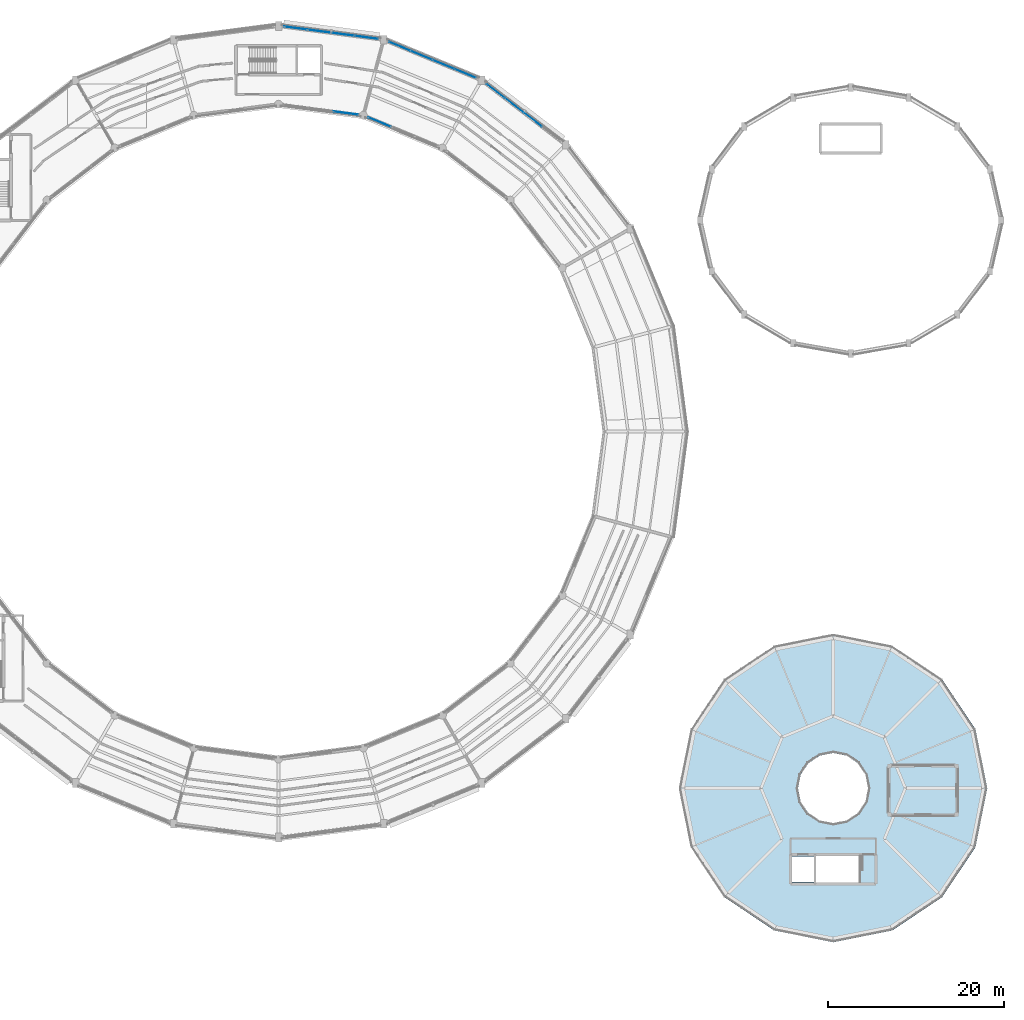
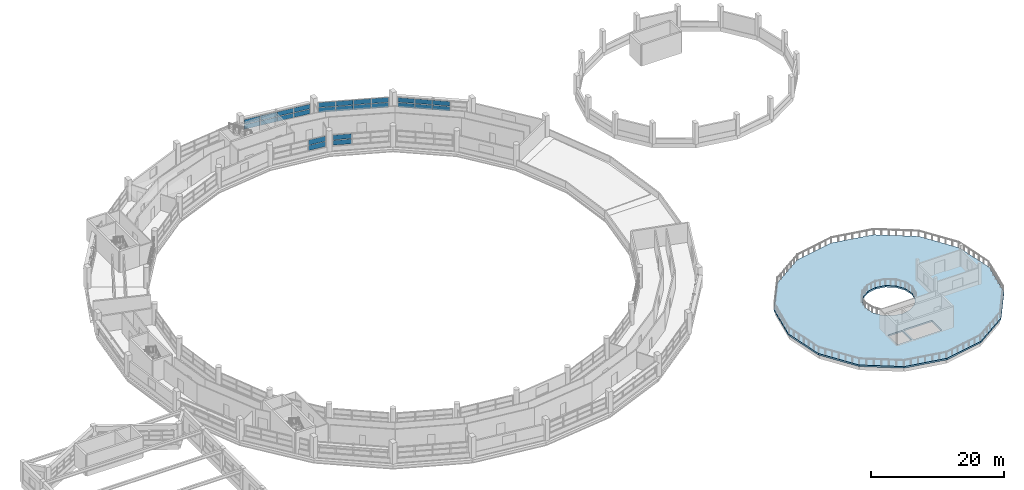
# One storey, part 88 of 108: 26 plates, 1 slab, 5 elements without a shape of their own.
"""IFC4 building model written with IfcOpenShell, lengths in metres."""

from ifc_helpers import new_model, si_unit, direction, frame, origin, origin_2d, place, context, subcontext, project, spatial, polyline, rectangle, outline, extrude, material, layer, layer_set, type_object, element, aggregate, save


model = new_model("IFC4")

# Units and contexts
model_context = context("Model", 3, precision=1e-05, world=origin(), true_north=direction((0.0, 1.0)))
body_context = subcontext(model_context, "Body", "Model", "MODEL_VIEW")
ifc_project = project(units=[si_unit("LENGTHUNIT", "METRE"), si_unit("AREAUNIT", "SQUARE_METRE"), si_unit("VOLUMEUNIT", "CUBIC_METRE"), si_unit("PLANEANGLEUNIT", "RADIAN"), si_unit("MASSUNIT", "GRAM", prefix="KILO")], contexts=[model_context])

# Site, building, storey
site_placement = place(None, origin())
site = spatial("IfcSite", under=ifc_project, at=site_placement, CompositionType="ELEMENT")
building_placement = place(site_placement, origin())
building = spatial("IfcBuilding", under=site, at=building_placement, Name="Vespera Passage Community Centre", CompositionType="ELEMENT")
storey_placement = place(building_placement, frame((0.0, 0.0, 12.60009765625)))
storey = spatial("IfcBuildingStorey", under=building, at=storey_placement, Name="L03", CompositionType="ELEMENT", Elevation=12.60009765625)

# Curtain wall, plates
ifc_material_1 = material(Name="Anodized aluminium 6063-T6", Category="aluminium")
ifc_layer_1 = layer(ifc_material_1, 0.159912109375)
ifc_layer_set_1 = layer_set([ifc_layer_1], Name="Anodized aluminium 6063-T6")
curtain_wall_type_1 = type_object("IfcCurtainWallType", Name="CW-37E", PredefinedType="NOTDEFINED", material=ifc_layer_set_1)
curtain_wall_1_placement = place(storey_placement, origin())
curtain_wall_1 = element("IfcCurtainWall", 1, at=curtain_wall_1_placement, inside=storey, type_object=curtain_wall_type_1, Name="V4 L03 Outer Ribbon Curtain Wall 3", PredefinedType="NOTDEFINED")
ifc_material_2 = material(Name="Low-E insulated vision glass", Category="glass")
ifc_layer_2 = layer(ifc_material_2, 0.02001953125)
ifc_layer_set_2 = layer_set([ifc_layer_2], Name="Low-E insulated vision glass")
plate_type_1 = type_object("IfcPlateType", Name="PL-CWP-20E", PredefinedType="CURTAIN_PANEL", material=ifc_layer_set_2)
plate_1_placement = place(storey_placement, frame((102.66552734375, 104.18408203125, 0.919921875), z_axis=(0.0, 0.0, 1.0), x_axis=(0.793345363065, -0.608771824991, 0.0)))
plate_1 = element("IfcPlate", 2, at=plate_1_placement, type_object=plate_type_1, Name="CW-37E panel 1.1", PredefinedType="CURTAIN_PANEL", context=body_context, shape_type="SweptSolid", body=[
    extrude(rectangle(XDim=2.5673828125, YDim=0.02001953125, at=origin_2d()), origin(), (0.0, 0.0, 1.0), 0.832763671875),
])
plate_2_placement = place(storey_placement, frame((102.66552734375, 104.18408203125, 1.8525390625), z_axis=(0.0, 0.0, 1.0), x_axis=(0.793345363065, -0.608771824991, 0.0)))
plate_2 = element("IfcPlate", 3, at=plate_2_placement, type_object=plate_type_1, Name="CW-37E panel 1.2", PredefinedType="CURTAIN_PANEL", context=body_context, shape_type="SweptSolid", body=[
    extrude(rectangle(XDim=2.5673828125, YDim=0.02001953125, at=origin_2d()), origin(), (0.0, 0.0, 1.0), 0.832763671875),
])
plate_3_placement = place(storey_placement, frame((104.766845703125, 102.57177734375, 0.919921875), z_axis=(0.0, 0.0, 1.0), x_axis=(0.793345363065, -0.608771824991, 0.0)))
plate_3 = element("IfcPlate", 4, at=plate_3_placement, type_object=plate_type_1, Name="CW-37E panel 2.1", PredefinedType="CURTAIN_PANEL", context=body_context, shape_type="SweptSolid", body=[
    extrude(rectangle(XDim=2.599853515625, YDim=0.02001953125, at=origin_2d()), origin(), (0.0, 0.0, 1.0), 0.832763671875),
])
plate_4_placement = place(storey_placement, frame((104.766845703125, 102.57177734375, 1.8525390625), z_axis=(0.0, 0.0, 1.0), x_axis=(0.793345363065, -0.608771824991, 0.0)))
plate_4 = element("IfcPlate", 5, at=plate_4_placement, type_object=plate_type_1, Name="CW-37E panel 2.2", PredefinedType="CURTAIN_PANEL", context=body_context, shape_type="SweptSolid", body=[
    extrude(rectangle(XDim=2.599853515625, YDim=0.02001953125, at=origin_2d()), origin(), (0.0, 0.0, 1.0), 0.832763671875),
])
plate_5_placement = place(storey_placement, frame((106.880859375, 100.949462890625, 0.919921875), z_axis=(0.0, 0.0, 1.0), x_axis=(0.793345363065, -0.608771824991, 0.0)))
plate_5 = element("IfcPlate", 6, at=plate_5_placement, type_object=plate_type_1, Name="CW-37E panel 3.1", PredefinedType="CURTAIN_PANEL", context=body_context, shape_type="SweptSolid", body=[
    extrude(rectangle(XDim=2.599853515625, YDim=0.02001953125, at=origin_2d()), origin(), (0.0, 0.0, 1.0), 0.832763671875),
])
plate_6_placement = place(storey_placement, frame((106.880859375, 100.949462890625, 1.8525390625), z_axis=(0.0, 0.0, 1.0), x_axis=(0.793345363065, -0.608771824991, 0.0)))
plate_6 = element("IfcPlate", 7, at=plate_6_placement, type_object=plate_type_1, Name="CW-37E panel 3.2", PredefinedType="CURTAIN_PANEL", context=body_context, shape_type="SweptSolid", body=[
    extrude(rectangle(XDim=2.599853515625, YDim=0.02001953125, at=origin_2d()), origin(), (0.0, 0.0, 1.0), 0.832763671875),
])
aggregate(curtain_wall_1, [plate_1, plate_2, plate_3, plate_4, plate_5, plate_6])

ifc_material_3 = material(Name="Anodized aluminium 6063-T6", Category="aluminium")
ifc_layer_3 = layer(ifc_material_3, 0.159912109375)
ifc_layer_set_3 = layer_set([ifc_layer_3], Name="Anodized aluminium 6063-T6")
curtain_wall_type_2 = type_object("IfcCurtainWallType", Name="CW-39E", PredefinedType="NOTDEFINED", material=ifc_layer_set_3)
curtain_wall_2_placement = place(storey_placement, origin())
curtain_wall_2 = element("IfcCurtainWall", 8, at=curtain_wall_2_placement, inside=storey, type_object=curtain_wall_type_2, Name="V4 L03 Outer Ribbon Curtain Wall 4", PredefinedType="NOTDEFINED")
ifc_material_4 = material(Name="Low-E insulated vision glass", Category="glass")
ifc_layer_4 = layer(ifc_material_4, 0.028076171875)
ifc_layer_set_4 = layer_set([ifc_layer_4], Name="Low-E insulated vision glass")
plate_type_2 = type_object("IfcPlateType", Name="PL-CWP-28E", PredefinedType="CURTAIN_PANEL", material=ifc_layer_set_4)
plate_7_placement = place(storey_placement, frame((91.76904296875, 109.26806640625, 0.8798828125), z_axis=(0.0, 0.0, 1.0), x_axis=(0.923879738007, -0.382682936255, 0.0)))
plate_7 = element("IfcPlate", 9, at=plate_7_placement, type_object=plate_type_2, Name="CW-39E panel 1.1", PredefinedType="CURTAIN_PANEL", context=body_context, shape_type="SweptSolid", body=[
    extrude(rectangle(XDim=2.585693359375, YDim=0.028076171875, at=origin_2d()), origin(), (0.0, 0.0, 1.0), 0.892822265625),
])
plate_8_placement = place(storey_placement, frame((91.76904296875, 109.26806640625, 1.83251953125), z_axis=(0.0, 0.0, 1.0), x_axis=(0.923879738007, -0.382682936255, 0.0)))
plate_8 = element("IfcPlate", 10, at=plate_8_placement, type_object=plate_type_2, Name="CW-39E panel 1.2", PredefinedType="CURTAIN_PANEL", context=body_context, shape_type="SweptSolid", body=[
    extrude(rectangle(XDim=2.585693359375, YDim=0.028076171875, at=origin_2d()), origin(), (0.0, 0.0, 1.0), 0.892822265625),
])
plate_9_placement = place(storey_placement, frame((94.244384765625, 108.24267578125, 0.8798828125), z_axis=(0.0, 0.0, 1.0), x_axis=(0.923879738007, -0.382682936255, 0.0)))
plate_9 = element("IfcPlate", 11, at=plate_9_placement, type_object=plate_type_2, Name="CW-39E panel 2.1", PredefinedType="CURTAIN_PANEL", context=body_context, shape_type="SweptSolid", body=[
    extrude(rectangle(XDim=2.623291015625, YDim=0.028076171875, at=origin_2d()), origin(), (0.0, 0.0, 1.0), 0.892822265625),
])
plate_10_placement = place(storey_placement, frame((94.244384765625, 108.24267578125, 1.83251953125), z_axis=(0.0, 0.0, 1.0), x_axis=(0.923879738007, -0.382682936255, 0.0)))
plate_10 = element("IfcPlate", 12, at=plate_10_placement, type_object=plate_type_2, Name="CW-39E panel 2.2", PredefinedType="CURTAIN_PANEL", context=body_context, shape_type="SweptSolid", body=[
    extrude(rectangle(XDim=2.623291015625, YDim=0.028076171875, at=origin_2d()), origin(), (0.0, 0.0, 1.0), 0.892822265625),
])
plate_11_placement = place(storey_placement, frame((96.7373046875, 107.210205078125, 0.8798828125), z_axis=(0.0, 0.0, 1.0), x_axis=(0.923879738007, -0.382682936255, 0.0)))
plate_11 = element("IfcPlate", 13, at=plate_11_placement, type_object=plate_type_2, Name="CW-39E panel 3.1", PredefinedType="CURTAIN_PANEL", context=body_context, shape_type="SweptSolid", body=[
    extrude(rectangle(XDim=2.623291015625, YDim=0.028076171875, at=origin_2d()), origin(), (0.0, 0.0, 1.0), 0.892822265625),
])
plate_12_placement = place(storey_placement, frame((96.7373046875, 107.210205078125, 1.83251953125), z_axis=(0.0, 0.0, 1.0), x_axis=(0.923879738007, -0.382682936255, 0.0)))
plate_12 = element("IfcPlate", 14, at=plate_12_placement, type_object=plate_type_2, Name="CW-39E panel 3.2", PredefinedType="CURTAIN_PANEL", context=body_context, shape_type="SweptSolid", body=[
    extrude(rectangle(XDim=2.623291015625, YDim=0.028076171875, at=origin_2d()), origin(), (0.0, 0.0, 1.0), 0.892822265625),
])
plate_13_placement = place(storey_placement, frame((99.212646484375, 106.184814453125, 0.8798828125), z_axis=(0.0, 0.0, 1.0), x_axis=(0.923879738007, -0.382682936255, 0.0)))
plate_13 = element("IfcPlate", 15, at=plate_13_placement, type_object=plate_type_2, Name="CW-39E panel 4.1", PredefinedType="CURTAIN_PANEL", context=body_context, shape_type="SweptSolid", body=[
    extrude(rectangle(XDim=2.585693359375, YDim=0.028076171875, at=origin_2d()), origin(), (0.0, 0.0, 1.0), 0.892822265625),
])
plate_14_placement = place(storey_placement, frame((99.212646484375, 106.184814453125, 1.83251953125), z_axis=(0.0, 0.0, 1.0), x_axis=(0.923879738007, -0.382682936255, 0.0)))
plate_14 = element("IfcPlate", 16, at=plate_14_placement, type_object=plate_type_2, Name="CW-39E panel 4.2", PredefinedType="CURTAIN_PANEL", context=body_context, shape_type="SweptSolid", body=[
    extrude(rectangle(XDim=2.585693359375, YDim=0.028076171875, at=origin_2d()), origin(), (0.0, 0.0, 1.0), 0.892822265625),
])
aggregate(curtain_wall_2, [plate_7, plate_8, plate_9, plate_10, plate_11, plate_12, plate_13, plate_14])

ifc_material_5 = material(Name="Anodized aluminium 6063-T6", Category="aluminium")
ifc_layer_5 = layer(ifc_material_5, 0.159912109375)
ifc_layer_set_5 = layer_set([ifc_layer_5], Name="Anodized aluminium 6063-T6")
curtain_wall_type_3 = type_object("IfcCurtainWallType", Name="CW-40E", PredefinedType="NOTDEFINED", material=ifc_layer_set_5)
curtain_wall_3_placement = place(storey_placement, origin())
curtain_wall_3 = element("IfcCurtainWall", 17, at=curtain_wall_3_placement, inside=storey, type_object=curtain_wall_type_3, Name="V4 L03 Inner Court Curtain Wall 4", PredefinedType="NOTDEFINED")
plate_15_placement = place(storey_placement, frame((89.47314453125, 100.668212890625, 0.919921875), z_axis=(0.0, 0.0, 1.0), x_axis=(-0.923876620096, 0.382690463482, 0.0)))
plate_15 = element("IfcPlate", 18, at=plate_15_placement, type_object=plate_type_2, Name="CW-40E panel 3.1", PredefinedType="CURTAIN_PANEL", context=body_context, shape_type="SweptSolid", body=[
    extrude(rectangle(XDim=2.7646484375, YDim=0.028076171875, at=origin_2d()), origin(), (0.0, 0.0, 1.0), 0.874755859375),
])
plate_16_placement = place(storey_placement, frame((89.47314453125, 100.668212890625, 1.89453125), z_axis=(0.0, 0.0, 1.0), x_axis=(-0.923876620096, 0.382690463482, 0.0)))
plate_16 = element("IfcPlate", 19, at=plate_16_placement, type_object=plate_type_2, Name="CW-40E panel 3.2", PredefinedType="CURTAIN_PANEL", context=body_context, shape_type="SweptSolid", body=[
    extrude(rectangle(XDim=2.7646484375, YDim=0.028076171875, at=origin_2d()), origin(), (0.0, 0.0, 1.0), 0.874755859375),
])
aggregate(curtain_wall_3, [plate_15, plate_16])

ifc_material_6 = material(Name="Anodized aluminium 6063-T6", Category="aluminium")
ifc_layer_6 = layer(ifc_material_6, 0.159912109375)
ifc_layer_set_6 = layer_set([ifc_layer_6], Name="Anodized aluminium 6063-T6")
curtain_wall_type_4 = type_object("IfcCurtainWallType", Name="CW-41E", PredefinedType="NOTDEFINED", material=ifc_layer_set_6)
curtain_wall_4_placement = place(storey_placement, origin())
curtain_wall_4 = element("IfcCurtainWall", 20, at=curtain_wall_4_placement, inside=storey, type_object=curtain_wall_type_4, Name="V4 L03 Outer Ribbon Curtain Wall 5", PredefinedType="NOTDEFINED")
ifc_material_7 = material(Name="Acoustic triple-glazed vision glass", Category="glass")
ifc_layer_7 = layer(ifc_material_7, 0.035888671875)
ifc_layer_set_7 = layer_set([ifc_layer_7], Name="Acoustic triple-glazed vision glass")
plate_type_3 = type_object("IfcPlateType", Name="PL-CWP-36E", PredefinedType="CURTAIN_PANEL", material=ifc_layer_set_7)
plate_17_placement = place(storey_placement, frame((79.951171875, 111.34326171875, 0.919921875), z_axis=(0.0, 0.0, 1.0), x_axis=(0.991444252276, -0.130530818696, 0.0)))
plate_17 = element("IfcPlate", 21, at=plate_17_placement, type_object=plate_type_3, Name="CW-41E panel 1.1", PredefinedType="CURTAIN_PANEL", context=body_context, shape_type="SweptSolid", body=[
    extrude(rectangle(XDim=2.599609375, YDim=0.035888671875, at=origin_2d()), origin(), (0.0, 0.0, 1.0), 0.832763671875),
])
plate_18_placement = place(storey_placement, frame((79.951171875, 111.34326171875, 1.8525390625), z_axis=(0.0, 0.0, 1.0), x_axis=(0.991444252276, -0.130530818696, 0.0)))
plate_18 = element("IfcPlate", 22, at=plate_18_placement, type_object=plate_type_3, Name="CW-41E panel 1.2", PredefinedType="CURTAIN_PANEL", context=body_context, shape_type="SweptSolid", body=[
    extrude(rectangle(XDim=2.599609375, YDim=0.035888671875, at=origin_2d()), origin(), (0.0, 0.0, 1.0), 0.832763671875),
])
plate_19_placement = place(storey_placement, frame((82.621337890625, 110.99169921875, 0.919921875), z_axis=(0.0, 0.0, 1.0), x_axis=(0.991444252276, -0.130530818696, 0.0)))
plate_19 = element("IfcPlate", 23, at=plate_19_placement, type_object=plate_type_3, Name="CW-41E panel 2.1", PredefinedType="CURTAIN_PANEL", context=body_context, shape_type="SweptSolid", body=[
    extrude(rectangle(XDim=2.636962890625, YDim=0.035888671875, at=origin_2d()), origin(), (0.0, 0.0, 1.0), 0.832763671875),
])
plate_20_placement = place(storey_placement, frame((82.621337890625, 110.99169921875, 1.8525390625), z_axis=(0.0, 0.0, 1.0), x_axis=(0.991444252276, -0.130530818696, 0.0)))
plate_20 = element("IfcPlate", 24, at=plate_20_placement, type_object=plate_type_3, Name="CW-41E panel 2.2", PredefinedType="CURTAIN_PANEL", context=body_context, shape_type="SweptSolid", body=[
    extrude(rectangle(XDim=2.636962890625, YDim=0.035888671875, at=origin_2d()), origin(), (0.0, 0.0, 1.0), 0.832763671875),
])
plate_21_placement = place(storey_placement, frame((85.310302734375, 110.6376953125, 0.919921875), z_axis=(0.0, 0.0, 1.0), x_axis=(0.991444252276, -0.130530818696, 0.0)))
plate_21 = element("IfcPlate", 25, at=plate_21_placement, type_object=plate_type_3, Name="CW-41E panel 3.1", PredefinedType="CURTAIN_PANEL", context=body_context, shape_type="SweptSolid", body=[
    extrude(rectangle(XDim=2.636962890625, YDim=0.035888671875, at=origin_2d()), origin(), (0.0, 0.0, 1.0), 0.832763671875),
])
plate_22_placement = place(storey_placement, frame((85.310302734375, 110.6376953125, 1.8525390625), z_axis=(0.0, 0.0, 1.0), x_axis=(0.991444252276, -0.130530818696, 0.0)))
plate_22 = element("IfcPlate", 26, at=plate_22_placement, type_object=plate_type_3, Name="CW-41E panel 3.2", PredefinedType="CURTAIN_PANEL", context=body_context, shape_type="SweptSolid", body=[
    extrude(rectangle(XDim=2.636962890625, YDim=0.035888671875, at=origin_2d()), origin(), (0.0, 0.0, 1.0), 0.832763671875),
])
plate_23_placement = place(storey_placement, frame((87.98046875, 110.2861328125, 0.919921875), z_axis=(0.0, 0.0, 1.0), x_axis=(0.991444252276, -0.130530818696, 0.0)))
plate_23 = element("IfcPlate", 27, at=plate_23_placement, type_object=plate_type_3, Name="CW-41E panel 4.1", PredefinedType="CURTAIN_PANEL", context=body_context, shape_type="SweptSolid", body=[
    extrude(rectangle(XDim=2.599609375, YDim=0.035888671875, at=origin_2d()), origin(), (0.0, 0.0, 1.0), 0.832763671875),
])
plate_24_placement = place(storey_placement, frame((87.98046875, 110.2861328125, 1.8525390625), z_axis=(0.0, 0.0, 1.0), x_axis=(0.991444252276, -0.130530818696, 0.0)))
plate_24 = element("IfcPlate", 28, at=plate_24_placement, type_object=plate_type_3, Name="CW-41E panel 4.2", PredefinedType="CURTAIN_PANEL", context=body_context, shape_type="SweptSolid", body=[
    extrude(rectangle(XDim=2.599609375, YDim=0.035888671875, at=origin_2d()), origin(), (0.0, 0.0, 1.0), 0.832763671875),
])
aggregate(curtain_wall_4, [plate_17, plate_18, plate_19, plate_20, plate_21, plate_22, plate_23, plate_24])

ifc_material_8 = material(Name="Anodized aluminium 6063-T6", Category="aluminium")
ifc_layer_8 = layer(ifc_material_8, 0.159912109375)
ifc_layer_set_8 = layer_set([ifc_layer_8], Name="Anodized aluminium 6063-T6")
curtain_wall_type_5 = type_object("IfcCurtainWallType", Name="CW-42E", PredefinedType="NOTDEFINED", material=ifc_layer_set_8)
curtain_wall_5_placement = place(storey_placement, origin())
curtain_wall_5 = element("IfcCurtainWall", 29, at=curtain_wall_5_placement, inside=storey, type_object=curtain_wall_type_5, Name="V4 L03 Inner Court Curtain Wall 5", PredefinedType="NOTDEFINED")
plate_25_placement = place(storey_placement, frame((85.665283203125, 101.69091796875, 0.8798828125), z_axis=(0.0, 0.0, 1.0), x_axis=(-0.991445387728, 0.1305221941, 0.0)))
plate_25 = element("IfcPlate", 30, at=plate_25_placement, type_object=plate_type_3, Name="CW-42E panel 1.1", PredefinedType="CURTAIN_PANEL", context=body_context, shape_type="SweptSolid", body=[
    extrude(rectangle(XDim=2.79443359375, YDim=0.035888671875, at=origin_2d()), origin(), (0.0, 0.0, 1.0), 0.934814453125),
])
plate_26_placement = place(storey_placement, frame((85.665283203125, 101.69091796875, 1.87451171875), z_axis=(0.0, 0.0, 1.0), x_axis=(-0.991445387728, 0.1305221941, 0.0)))
plate_26 = element("IfcPlate", 31, at=plate_26_placement, type_object=plate_type_3, Name="CW-42E panel 1.2", PredefinedType="CURTAIN_PANEL", context=body_context, shape_type="SweptSolid", body=[
    extrude(rectangle(XDim=2.79443359375, YDim=0.035888671875, at=origin_2d()), origin(), (0.0, 0.0, 1.0), 0.934814453125),
])
aggregate(curtain_wall_5, [plate_25, plate_26])

# Slab
ifc_material_9 = material(Name="Concrete f'c 35 MPa", Category="concrete")
ifc_layer_9 = layer(ifc_material_9, 0.300048828125)
ifc_layer_set_9 = layer_set([ifc_layer_9], Name="Concrete f'c 35 MPa")
slab_type = type_object("IfcSlabType", Name="SL-GARDEN-300E", PredefinedType="FLOOR", material=ifc_layer_set_9)
slab_placement = place(storey_placement, frame((0.0, 0.0, -0.300048828125)))
element("IfcSlab", 32, at=slab_placement, inside=storey, type_object=slab_type, Name="V3 L03 Accessible Planted Roof Garden Slab", PredefinedType="FLOOR", context=body_context, shape_type="SweptSolid", body=[
    extrude(outline(polyline([(147.697021484375, 8.83203125), (141.0, 7.5), (134.302978515625, 8.83203125), (128.62548828125, 12.62548828125), (124.83203125, 18.302978515625), (123.5, 25.0), (124.83203125, 31.697021484375), (128.62548828125, 37.37451171875), (134.302978515625, 41.16796875), (141.0, 42.5), (147.697021484375, 41.16796875), (153.37451171875, 37.37451171875), (157.16796875, 31.697021484375), (158.5, 25.0), (157.16796875, 18.302978515625), (153.37451171875, 12.62548828125), (147.697021484375, 8.83203125)]), holes=[polyline([(144.014892578125, 14.300048828125), (144.014892578125, 17.300048828125), (139.044921875, 17.300048828125), (139.044921875, 14.300048828125), (144.014892578125, 14.300048828125)]), polyline([(136.304931640625, 14.35009765625), (138.804931640625, 14.35009765625), (138.804931640625, 17.25), (136.304931640625, 17.25), (136.304931640625, 14.35009765625)]), polyline([(144.695556640625, 26.53076171875), (143.828369140625, 27.828369140625), (142.53076171875, 28.695556640625), (141.0, 29.0), (139.46923828125, 28.695556640625), (138.171630859375, 27.828369140625), (137.304443359375, 26.53076171875), (137.0, 25.0), (137.304443359375, 23.46923828125), (138.171630859375, 22.171630859375), (139.46923828125, 21.304443359375), (141.0, 21.0), (142.53076171875, 21.304443359375), (143.828369140625, 22.171630859375), (144.695556640625, 23.46923828125), (145.0, 25.0), (144.695556640625, 26.53076171875)])]), origin(), (0.0, 0.0, 1.0), 0.300048828125),
])

save(model, "model.ifc")
